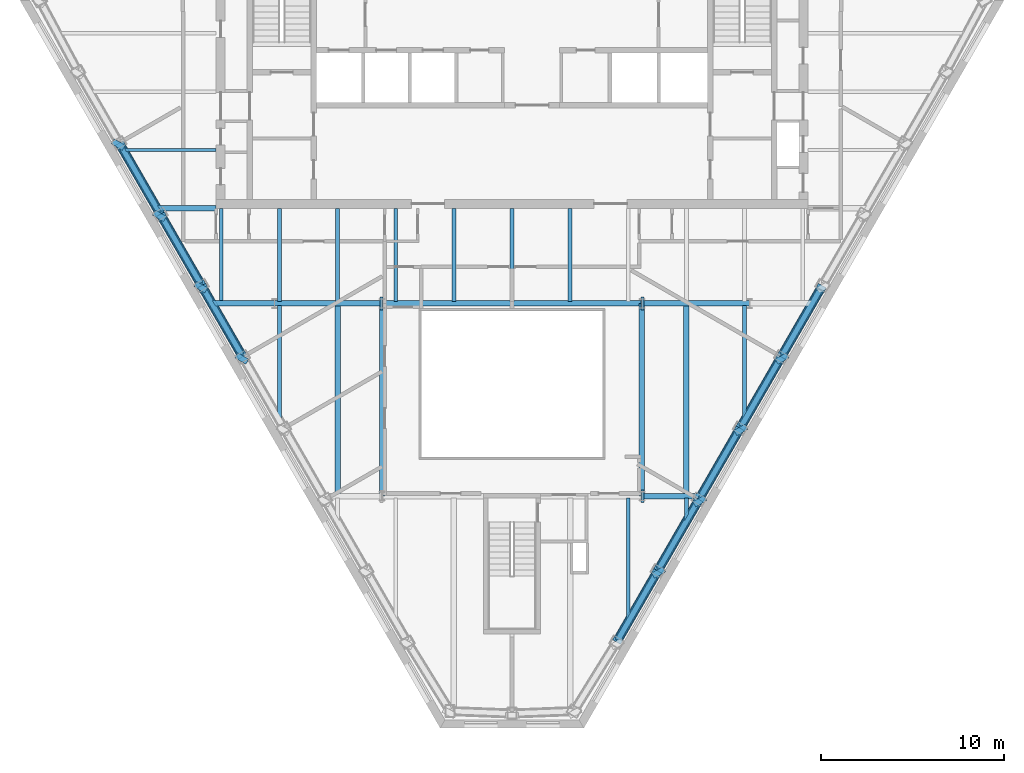
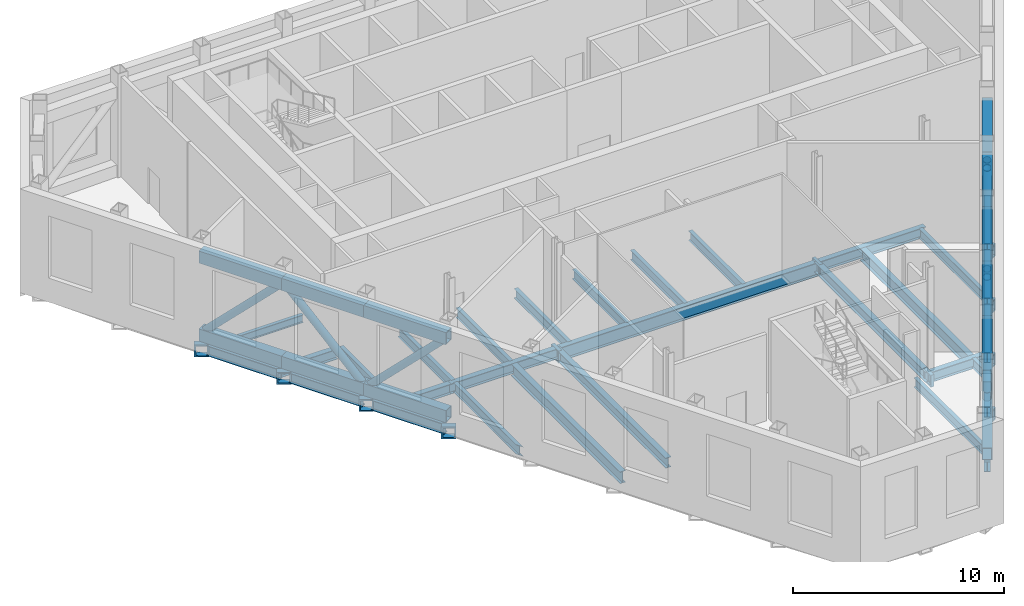
# One storey, part 3 of 13: 41 beams, 24 members.
"""IFC4 building model written with IfcOpenShell, lengths in metres."""

from ifc_helpers import new_model, si_unit, direction, frame, origin, origin_2d, place, context, subcontext, project, spatial, hollow_rectangle, hollow_circle, i_section, extrude, clip, halfspace, material, material_profile, profile_set, type_object, element, save


model = new_model("IFC4")

# Units and contexts
model_context = context("Model", 3, precision=1e-05, world=origin(), true_north=direction((0.0, 1.0)))
body_context = subcontext(model_context, "Body", "Model", "MODEL_VIEW")
ifc_project = project(units=[si_unit("LENGTHUNIT", "METRE"), si_unit("AREAUNIT", "SQUARE_METRE"), si_unit("VOLUMEUNIT", "CUBIC_METRE"), si_unit("PLANEANGLEUNIT", "RADIAN"), si_unit("MASSUNIT", "GRAM", prefix="KILO")], contexts=[model_context])

# Site, building, storey
site_placement = place(None, origin())
site = spatial("IfcSite", under=ifc_project, at=site_placement, CompositionType="ELEMENT")
building_placement = place(site_placement, origin())
building = spatial("IfcBuilding", under=site, at=building_placement, Name="Njiva Tower", CompositionType="ELEMENT")
storey_placement = place(building_placement, frame((0.0, 0.0, 186.6)))
storey = spatial("IfcBuildingStorey", under=building, at=storey_placement, Name="L41", CompositionType="ELEMENT", Elevation=186.6)

# Beams
ifc_material_1 = material(Name="Steel S355 J2", Category="steel")
ifc_material_profile_1 = material_profile(ifc_material_1, i_section(OverallWidth=0.3, OverallDepth=0.69, WebThickness=0.0145, FlangeThickness=0.027, at=origin_2d()), Name="HEA 700")
ifc_profile_set_1 = profile_set([ifc_material_profile_1], Name="Steel S355 J2")
beam_type_1 = type_object("IfcBeamType", Name="B12 Long-span floor joist HEA 700", PredefinedType="JOIST", material=ifc_profile_set_1)
for number, where, z_axis, x_axis, name in (
    (1, (-9.55, -3.3, -0.545), (0.0, -1.0, 0.0), (1.0, 0.0, 0.0), "Long-span floor joist T3-B052"),
    (2, (9.55, -3.3, -0.545), (0.0, -1.0, 0.0), (1.0, 0.0, 0.0), "Long-span floor joist T3-B065"),
):
    element("IfcBeam", number, at=place(storey_placement, frame(where, z_axis=z_axis, x_axis=x_axis)), inside=storey, type_object=beam_type_1, Name=name, PredefinedType="JOIST", context=body_context, shape_type="SweptSolid", body=[
        extrude(i_section(OverallWidth=0.3, OverallDepth=0.69, WebThickness=0.0145, FlangeThickness=0.027, at=origin_2d()), origin(), (0.0, 0.0, 1.0), 10.35),
    ])
ifc_material_profile_2 = material_profile(ifc_material_1, hollow_rectangle(XDim=0.7, YDim=0.7, WallThickness=0.08, at=origin_2d()), Name="BOX 700x700x80")
ifc_profile_set_2 = profile_set([ifc_material_profile_2], Name="Steel S355 J2")
beam_type_2 = type_object("IfcBeamType", Name="B19 Column jog beam BOX 700x700x80", PredefinedType="BEAM", material=ifc_profile_set_2)
beam_1_placement = place(storey_placement, frame((-21.634, 5.359, -0.55), z_axis=(0.511321392938, 0.859389570058, 0.0), x_axis=(-0.859389570058, 0.511321392938, 0.0)))
element("IfcBeam", 3, at=beam_1_placement, inside=storey, type_object=beam_type_2, Name="Column jog beam T3-B022", PredefinedType="BEAM", context=body_context, shape_type="SweptSolid", body=[
    extrude(hollow_rectangle(XDim=0.7, YDim=0.7, WallThickness=0.08, at=origin_2d()), origin(), (0.0, 0.0, 1.0), 0.3246),
])
for number, where, z_axis, x_axis, name in (
    (4, (-19.378, 1.454, -0.55), (0.503103193973, 0.864226345475, 0.0), (-0.864226345475, 0.503103193973, 0.0), "Column jog beam T3-B023"),
    (5, (-17.124, -2.45, -0.55), (0.503103193973, 0.864226345475, 0.0), (-0.864226345475, 0.503103193973, 0.0), "Column jog beam T3-B024"),
):
    element("IfcBeam", number, at=place(storey_placement, frame(where, z_axis=z_axis, x_axis=x_axis)), inside=storey, type_object=beam_type_2, Name=name, PredefinedType="BEAM", context=body_context, shape_type="SweptSolid", body=[
        extrude(hollow_rectangle(XDim=0.7, YDim=0.7, WallThickness=0.08, at=origin_2d()), origin(), (0.0, 0.0, 1.0), 0.324),
    ])
beam_2_placement = place(storey_placement, frame((-14.87, -6.355, -0.55), z_axis=(0.501764157718, 0.865004468214, 0.0), x_axis=(-0.865004468214, 0.501764157718, 0.0)))
element("IfcBeam", 6, at=beam_2_placement, inside=storey, type_object=beam_type_2, Name="Column jog beam T3-B025", PredefinedType="BEAM", context=body_context, shape_type="SweptSolid", body=[
    extrude(hollow_rectangle(XDim=0.7, YDim=0.7, WallThickness=0.08, at=origin_2d()), origin(), (0.0, 0.0, 1.0), 0.3249),
])
beam_3_placement = place(storey_placement, frame((8.106, -18.069, -0.55), z_axis=(-0.488509809828, 0.872558402459, 0.0), x_axis=(-0.872558402459, -0.488509809828, 0.0)))
element("IfcBeam", 7, at=beam_3_placement, inside=storey, type_object=beam_type_2, Name="Column jog beam T3-B038", PredefinedType="BEAM", context=body_context, shape_type="SweptSolid", body=[
    extrude(hollow_rectangle(XDim=0.7, YDim=0.7, WallThickness=0.08, at=origin_2d()), origin(), (0.0, 0.0, 1.0), 0.3255),
])
beam_4_placement = place(storey_placement, frame((10.36, -14.164, -0.55), z_axis=(-0.489822391419, 0.871822243846, 0.0), x_axis=(-0.871822243846, -0.489822391419, 0.0)))
element("IfcBeam", 8, at=beam_4_placement, inside=storey, type_object=beam_type_2, Name="Column jog beam T3-B039", PredefinedType="BEAM", context=body_context, shape_type="SweptSolid", body=[
    extrude(hollow_rectangle(XDim=0.7, YDim=0.7, WallThickness=0.08, at=origin_2d()), origin(), (0.0, 0.0, 1.0), 0.3246),
])
beam_5_placement = place(storey_placement, frame((12.615, -10.26, -0.55), z_axis=(-0.496799306689, 0.867865455513, 0.0), x_axis=(-0.867865455513, -0.496799306689, 0.0)))
element("IfcBeam", 9, at=beam_5_placement, inside=storey, type_object=beam_type_2, Name="Column jog beam T3-B040", PredefinedType="BEAM", context=body_context, shape_type="SweptSolid", body=[
    extrude(hollow_rectangle(XDim=0.7, YDim=0.7, WallThickness=0.08, at=origin_2d()), origin(), (0.0, 0.0, 1.0), 0.3261),
])
beam_6_placement = place(storey_placement, frame((14.87, -6.355, -0.55), z_axis=(-0.501764157718, 0.865004468214, 0.0), x_axis=(-0.865004468214, -0.501764157718, 0.0)))
element("IfcBeam", 10, at=beam_6_placement, inside=storey, type_object=beam_type_2, Name="Column jog beam T3-B041", PredefinedType="BEAM", context=body_context, shape_type="SweptSolid", body=[
    extrude(hollow_rectangle(XDim=0.7, YDim=0.7, WallThickness=0.08, at=origin_2d()), origin(), (0.0, 0.0, 1.0), 0.3249),
])
for number, where, z_axis, x_axis, name in (
    (11, (7.23, -3.2, -0.55), (-1.0, 0.0, 0.0), (0.0, -1.0, 0.0), "Column jog beam T3-B037"),
    (12, (-7.23, -3.2, -0.55), (1.0, 0.0, 0.0), (0.0, 1.0, 0.0), "Column jog beam T3-B030"),
    (13, (7.23, -13.75, -0.55), (-1.0, 0.0, 0.0), (0.0, -1.0, 0.0), "Column jog beam T3-B036"),
):
    element("IfcBeam", number, at=place(storey_placement, frame(where, z_axis=z_axis, x_axis=x_axis)), inside=storey, type_object=beam_type_2, Name=name, PredefinedType="BEAM", context=body_context, shape_type="SweptSolid", body=[
        extrude(hollow_rectangle(XDim=0.7, YDim=0.7, WallThickness=0.08, at=origin_2d()), origin(), (0.0, 0.0, 1.0), 0.18),
    ])
ifc_material_profile_3 = material_profile(ifc_material_1, i_section(OverallWidth=0.3, OverallDepth=0.59, WebThickness=0.013, FlangeThickness=0.025, at=origin_2d()), Name="HEA 600")
ifc_profile_set_3 = profile_set([ifc_material_profile_3], Name="Steel S355 J2")
beam_type_3 = type_object("IfcBeamType", Name="B27 Short-span spandrel beam HEA 600", PredefinedType="SPANDREL", material=ifc_profile_set_3)
beam_7_placement = place(storey_placement, frame((-21.324, 5.283, -0.495), z_axis=(0.500082280366, -0.865977893981, 0.0), x_axis=(0.865977893981, 0.500082280366, 0.0)))
element("IfcBeam", 14, at=beam_7_placement, inside=storey, type_object=beam_type_3, Name="Short-span spandrel beam T3-B079", PredefinedType="SPANDREL", context=body_context, shape_type="SweptSolid", body=[
    extrude(i_section(OverallWidth=0.3, OverallDepth=0.59, WebThickness=0.013, FlangeThickness=0.025, at=origin_2d()), origin(), (0.0, 0.0, 1.0), 4.0093),
])
beam_8_placement = place(storey_placement, frame((-19.069, 1.378, -0.495), z_axis=(0.500003221507, -0.866023543838, 0.0), x_axis=(0.866023543838, 0.500003221507, 0.0)))
element("IfcBeam", 15, at=beam_8_placement, inside=storey, type_object=beam_type_3, Name="Short-span spandrel beam T3-B080", PredefinedType="SPANDREL", context=body_context, shape_type="SweptSolid", body=[
    extrude(i_section(OverallWidth=0.3, OverallDepth=0.59, WebThickness=0.013, FlangeThickness=0.025, at=origin_2d()), origin(), (0.0, 0.0, 1.0), 4.008),
])
beam_9_placement = place(storey_placement, frame((-16.815, -2.526, -0.495), z_axis=(0.499895202697, -0.866085900082, 0.0), x_axis=(0.866085900082, 0.499895202697, 0.0)))
element("IfcBeam", 16, at=beam_9_placement, inside=storey, type_object=beam_type_3, Name="Short-span spandrel beam T3-B082", PredefinedType="SPANDREL", context=body_context, shape_type="SweptSolid", body=[
    extrude(i_section(OverallWidth=0.3, OverallDepth=0.59, WebThickness=0.013, FlangeThickness=0.025, at=origin_2d()), origin(), (0.0, 0.0, 1.0), 4.0088),
])
beam_10_placement = place(storey_placement, frame((5.794, -21.616, -0.495), z_axis=(0.500003221507, 0.866023543838, 0.0), x_axis=(-0.866023543838, 0.500003221507, 0.0)))
element("IfcBeam", 17, at=beam_10_placement, inside=storey, type_object=beam_type_3, Name="Short-span spandrel beam T3-B096", PredefinedType="SPANDREL", context=body_context, shape_type="SweptSolid", body=[
    extrude(i_section(OverallWidth=0.3, OverallDepth=0.59, WebThickness=0.013, FlangeThickness=0.025, at=origin_2d()), origin(), (0.0, 0.0, 1.0), 4.008),
])
beam_11_placement = place(storey_placement, frame((8.048, -17.712, -0.495), z_axis=(0.499895202697, 0.866085900082, 0.0), x_axis=(-0.866085900082, 0.499895202697, 0.0)))
element("IfcBeam", 18, at=beam_11_placement, inside=storey, type_object=beam_type_3, Name="Short-span spandrel beam T3-B097", PredefinedType="SPANDREL", context=body_context, shape_type="SweptSolid", body=[
    extrude(i_section(OverallWidth=0.3, OverallDepth=0.59, WebThickness=0.013, FlangeThickness=0.025, at=origin_2d()), origin(), (0.0, 0.0, 1.0), 4.0088),
])
beam_12_placement = place(storey_placement, frame((10.302, -13.807, -0.495), z_axis=(0.500003221507, 0.866023543838, 0.0), x_axis=(-0.866023543838, 0.500003221507, 0.0)))
element("IfcBeam", 19, at=beam_12_placement, inside=storey, type_object=beam_type_3, Name="Short-span spandrel beam T3-B099", PredefinedType="SPANDREL", context=body_context, shape_type="SweptSolid", body=[
    extrude(i_section(OverallWidth=0.3, OverallDepth=0.59, WebThickness=0.013, FlangeThickness=0.025, at=origin_2d()), origin(), (0.0, 0.0, 1.0), 4.008),
])
beam_13_placement = place(storey_placement, frame((12.556, -9.903, -0.495), z_axis=(0.500082280366, 0.865977893981, 0.0), x_axis=(-0.865977893981, 0.500082280366, 0.0)))
element("IfcBeam", 20, at=beam_13_placement, inside=storey, type_object=beam_type_3, Name="Short-span spandrel beam T3-B100", PredefinedType="SPANDREL", context=body_context, shape_type="SweptSolid", body=[
    extrude(i_section(OverallWidth=0.3, OverallDepth=0.59, WebThickness=0.013, FlangeThickness=0.025, at=origin_2d()), origin(), (0.0, 0.0, 1.0), 4.0093),
])
beam_14_placement = place(storey_placement, frame((14.811, -5.998, -0.495), z_axis=(0.499895202697, 0.866085900082, 0.0), x_axis=(-0.866085900082, 0.499895202697, 0.0)))
element("IfcBeam", 21, at=beam_14_placement, inside=storey, type_object=beam_type_3, Name="Short-span spandrel beam T3-B102", PredefinedType="SPANDREL", context=body_context, shape_type="SweptSolid", body=[
    extrude(i_section(OverallWidth=0.3, OverallDepth=0.59, WebThickness=0.013, FlangeThickness=0.025, at=origin_2d()), origin(), (0.0, 0.0, 1.0), 4.0088),
])
ifc_material_profile_4 = material_profile(ifc_material_1, i_section(OverallWidth=0.3, OverallDepth=0.59, WebThickness=0.013, FlangeThickness=0.025, at=origin_2d()), Name="HEA 600")
ifc_profile_set_4 = profile_set([ifc_material_profile_4], Name="Steel S355 J2")
beam_type_4 = type_object("IfcBeamType", Name="B28 Floor girder HEA 600", PredefinedType="BEAM", material=ifc_profile_set_4)
for number, where, z_axis, x_axis, name in (
    (22, (-13.0, -3.2, -0.495), (1.0, 0.0, 0.0), (0.0, 1.0, 0.0), "Floor girder T3-B013"),
    (23, (7.11, -3.2, -0.495), (1.0, 0.0, 0.0), (0.0, 1.0, 0.0), "Floor girder T3-B016"),
):
    element("IfcBeam", number, at=place(storey_placement, frame(where, z_axis=z_axis, x_axis=x_axis)), inside=storey, type_object=beam_type_4, Name=name, PredefinedType="BEAM", context=body_context, shape_type="SweptSolid", body=[
        extrude(i_section(OverallWidth=0.3, OverallDepth=0.59, WebThickness=0.013, FlangeThickness=0.025, at=origin_2d()), origin(), (0.0, 0.0, 1.0), 5.89),
    ])
ifc_material_profile_5 = material_profile(ifc_material_1, i_section(OverallWidth=0.3, OverallDepth=0.59, WebThickness=0.013, FlangeThickness=0.025, at=origin_2d()), Name="HEA 600")
ifc_profile_set_5 = profile_set([ifc_material_profile_5], Name="Steel S355 J2")
beam_type_5 = type_object("IfcBeamType", Name="B29 Short-span floor girder HEA 600", PredefinedType="BEAM", material=ifc_profile_set_5)
beam_15_placement = place(storey_placement, frame((-16.418, -3.2, -0.495), z_axis=(1.0, 0.0, 0.0), x_axis=(0.0, 1.0, 0.0)))
element("IfcBeam", 24, at=beam_15_placement, inside=storey, type_object=beam_type_5, Name="Short-span floor girder T3-B012", PredefinedType="BEAM", context=body_context, shape_type="Clipping", body=[
    clip(extrude(i_section(OverallWidth=0.3, OverallDepth=0.59, WebThickness=0.013, FlangeThickness=0.025, at=origin_2d()), origin(), (0.0, 0.0, 1.0), 3.418), halfspace(frame((-0.025, 0.0, 0.1217), z_axis=(-0.499998009787, 0.0, -0.866026552831), x_axis=(0.0, -1.0, 0.0)), False)),
])
beam_16_placement = place(storey_placement, frame((7.11, -13.75, -0.495), z_axis=(1.0, 0.0, 0.0), x_axis=(0.0, 1.0, 0.0)))
element("IfcBeam", 25, at=beam_16_placement, inside=storey, type_object=beam_type_5, Name="Short-span floor girder T3-B015", PredefinedType="BEAM", context=body_context, shape_type="Clipping", body=[
    clip(extrude(i_section(OverallWidth=0.3, OverallDepth=0.59, WebThickness=0.013, FlangeThickness=0.025, at=origin_2d()), origin(), (0.0, 0.0, 1.0), 3.217), halfspace(frame((-0.025, 0.0, 3.0953), z_axis=(-0.499998009787, 0.0, 0.866026552831), x_axis=(0.0, 1.0, 0.0)), False)),
])
beam_17_placement = place(storey_placement, frame((-19.42, 2.0, -0.495), z_axis=(1.0, 0.0, 0.0), x_axis=(0.0, 1.0, 0.0)))
element("IfcBeam", 26, at=beam_17_placement, inside=storey, type_object=beam_type_5, Name="Short-span floor girder T3-B011", PredefinedType="BEAM", context=body_context, shape_type="Clipping", body=[
    clip(extrude(i_section(OverallWidth=0.3, OverallDepth=0.59, WebThickness=0.013, FlangeThickness=0.025, at=origin_2d()), origin(), (0.0, 0.0, 1.0), 3.22), halfspace(frame((-0.025, 0.0, 0.1214), z_axis=(-0.499998009787, 0.0, -0.866026552831), x_axis=(0.0, -1.0, 0.0)), False)),
])
ifc_material_profile_6 = material_profile(ifc_material_1, i_section(OverallWidth=0.3, OverallDepth=0.59, WebThickness=0.013, FlangeThickness=0.025, at=origin_2d()), Name="HEA 600")
ifc_profile_set_6 = profile_set([ifc_material_profile_6], Name="Steel S355 J2")
beam_type_6 = type_object("IfcBeamType", Name="B30 Long-span atrium trimmer beam HEA 600", PredefinedType="BEAM", material=ifc_profile_set_6)
for number, where, z_axis, x_axis, name in (
    (27, (7.11, -13.75, -0.495), (0.0, 1.0, 0.0), (-1.0, 0.0, 0.0), "Long-span atrium trimmer beam T3-B073"),
    (28, (-7.11, -3.2, -0.495), (0.0, -1.0, 0.0), (1.0, 0.0, 0.0), "Long-span atrium trimmer beam T3-B070"),
):
    element("IfcBeam", number, at=place(storey_placement, frame(where, z_axis=z_axis, x_axis=x_axis)), inside=storey, type_object=beam_type_6, Name=name, PredefinedType="BEAM", context=body_context, shape_type="SweptSolid", body=[
        extrude(i_section(OverallWidth=0.3, OverallDepth=0.59, WebThickness=0.013, FlangeThickness=0.025, at=origin_2d()), origin(), (0.0, 0.0, 1.0), 10.55),
    ])
ifc_material_profile_7 = material_profile(ifc_material_1, i_section(OverallWidth=0.21, OverallDepth=0.55, WebThickness=0.0111, FlangeThickness=0.0172, at=origin_2d()), Name="IPE 550")
ifc_profile_set_7 = profile_set([ifc_material_profile_7], Name="Steel S355 J2")
beam_type_7 = type_object("IfcBeamType", Name="B31 Short-span floor joist IPE 550", PredefinedType="JOIST", material=ifc_profile_set_7)
beam_18_placement = place(storey_placement, frame((9.55, -13.85, -0.475), z_axis=(0.0, -1.0, 0.0), x_axis=(1.0, 0.0, 0.0)))
element("IfcBeam", 29, at=beam_18_placement, inside=storey, type_object=beam_type_7, Name="Short-span floor joist T3-B064", PredefinedType="JOIST", context=body_context, shape_type="Clipping", body=[
    clip(extrude(i_section(OverallWidth=0.21, OverallDepth=0.55, WebThickness=0.0111, FlangeThickness=0.0172, at=origin_2d()), origin(), (0.0, 0.0, 1.0), 1.262), halfspace(frame((0.0433, 0.0, 0.985), z_axis=(0.866026552831, 0.0, 0.499998009787), x_axis=(0.0, 1.0, 0.0)), False)),
])
ifc_material_profile_8 = material_profile(ifc_material_1, i_section(OverallWidth=0.21, OverallDepth=0.55, WebThickness=0.0111, FlangeThickness=0.0172, at=origin_2d()), Name="IPE 550")
ifc_profile_set_8 = profile_set([ifc_material_profile_8], Name="Steel S355 J2")
beam_type_8 = type_object("IfcBeamType", Name="B32 Floor joist IPE 550", PredefinedType="JOIST", material=ifc_profile_set_8)
for number, where, z_axis, x_axis, name in (
    (30, (-15.917, 1.995, -0.475), (0.0, -1.0, 0.0), (1.0, 0.0, 0.0), "Floor joist T3-B048"),
    (31, (-12.733, 1.995, -0.475), (0.0, -1.0, 0.0), (1.0, 0.0, 0.0), "Floor joist T3-B050"),
):
    element("IfcBeam", number, at=place(storey_placement, frame(where, z_axis=z_axis, x_axis=x_axis)), inside=storey, type_object=beam_type_8, Name=name, PredefinedType="JOIST", context=body_context, shape_type="SweptSolid", body=[
        extrude(i_section(OverallWidth=0.21, OverallDepth=0.55, WebThickness=0.0111, FlangeThickness=0.0172, at=origin_2d()), origin(), (0.0, 0.0, 1.0), 5.095),
    ])
beam_19_placement = place(storey_placement, frame((-12.733, -3.3, -0.475), z_axis=(0.0, -1.0, 0.0), x_axis=(1.0, 0.0, 0.0)))
element("IfcBeam", 32, at=beam_19_placement, inside=storey, type_object=beam_type_8, Name="Floor joist T3-B049", PredefinedType="JOIST", context=body_context, shape_type="Clipping", body=[
    clip(extrude(i_section(OverallWidth=0.21, OverallDepth=0.55, WebThickness=0.0111, FlangeThickness=0.0172, at=origin_2d()), origin(), (0.0, 0.0, 1.0), 6.298), halfspace(frame((-0.0436, 0.0, 6.0213), z_axis=(-0.866026552831, 0.0, 0.499998009787), x_axis=(0.0, 1.0, 0.0)), False)),
])
for number, where, z_axis, x_axis, name in (
    (33, (-9.55, 1.995, -0.475), (0.0, -1.0, 0.0), (1.0, 0.0, 0.0), "Floor joist T3-B053"),
    (34, (-6.367, 1.995, -0.475), (0.0, -1.0, 0.0), (1.0, 0.0, 0.0), "Floor joist T3-B055"),
    (35, (-3.183, 1.995, -0.475), (0.0, -1.0, 0.0), (1.0, 0.0, 0.0), "Floor joist T3-B057"),
    (36, (0.0, 1.995, -0.475), (0.0, -1.0, 0.0), (1.0, 0.0, 0.0), "Floor joist T3-B059"),
    (37, (3.183, 1.995, -0.475), (0.0, -1.0, 0.0), (1.0, 0.0, 0.0), "Floor joist T3-B061"),
):
    element("IfcBeam", number, at=place(storey_placement, frame(where, z_axis=z_axis, x_axis=x_axis)), inside=storey, type_object=beam_type_8, Name=name, PredefinedType="JOIST", context=body_context, shape_type="SweptSolid", body=[
        extrude(i_section(OverallWidth=0.21, OverallDepth=0.55, WebThickness=0.0111, FlangeThickness=0.0172, at=origin_2d()), origin(), (0.0, 0.0, 1.0), 5.095),
    ])
beam_20_placement = place(storey_placement, frame((6.367, -13.85, -0.475), z_axis=(0.0, -1.0, 0.0), x_axis=(1.0, 0.0, 0.0)))
element("IfcBeam", 38, at=beam_20_placement, inside=storey, type_object=beam_type_8, Name="Floor joist T3-B062", PredefinedType="JOIST", context=body_context, shape_type="Clipping", body=[
    clip(extrude(i_section(OverallWidth=0.21, OverallDepth=0.55, WebThickness=0.0111, FlangeThickness=0.0172, at=origin_2d()), origin(), (0.0, 0.0, 1.0), 6.776), halfspace(frame((0.043, 0.0, 6.4987), z_axis=(0.866026552831, 0.0, 0.499998009787), x_axis=(0.0, 1.0, 0.0)), False)),
])
beam_21_placement = place(storey_placement, frame((12.733, -3.3, -0.475), z_axis=(0.0, -1.0, 0.0), x_axis=(1.0, 0.0, 0.0)))
element("IfcBeam", 39, at=beam_21_placement, inside=storey, type_object=beam_type_8, Name="Floor joist T3-B067", PredefinedType="JOIST", context=body_context, shape_type="Clipping", body=[
    clip(extrude(i_section(OverallWidth=0.21, OverallDepth=0.55, WebThickness=0.0111, FlangeThickness=0.0172, at=origin_2d()), origin(), (0.0, 0.0, 1.0), 6.298), halfspace(frame((0.0436, 0.0, 6.0213), z_axis=(0.866026552831, 0.0, 0.499998009787), x_axis=(0.0, 1.0, 0.0)), False)),
])
ifc_material_profile_9 = material_profile(ifc_material_1, i_section(OverallWidth=0.19, OverallDepth=0.45, WebThickness=0.0094, FlangeThickness=0.0146, at=origin_2d()), Name="IPE 450")
ifc_profile_set_9 = profile_set([ifc_material_profile_9], Name="Steel S355 J2")
beam_type_9 = type_object("IfcBeamType", Name="B37 Floor beam to the core IPE 450", PredefinedType="BEAM", material=ifc_profile_set_9)
beam_22_placement = place(storey_placement, frame((-21.236, 5.2, -0.425), z_axis=(1.0, 0.0, 0.0), x_axis=(0.0, 1.0, 0.0)))
element("IfcBeam", 40, at=beam_22_placement, inside=storey, type_object=beam_type_9, Name="Floor beam to the core T3-B005", PredefinedType="BEAM", context=body_context, shape_type="Clipping", body=[
    clip(extrude(i_section(OverallWidth=0.19, OverallDepth=0.45, WebThickness=0.0094, FlangeThickness=0.0146, at=origin_2d()), origin(), (0.0, 0.0, 1.0), 5.036), halfspace(frame((-0.025, 0.0, 0.0899), z_axis=(-0.499998009787, 0.0, -0.866026552831), x_axis=(0.0, -1.0, 0.0)), False)),
])
ifc_material_profile_10 = material_profile(ifc_material_1, i_section(OverallWidth=0.3, OverallDepth=0.79, WebThickness=0.015, FlangeThickness=0.028, at=origin_2d()), Name="HEA 800")
ifc_profile_set_10 = profile_set([ifc_material_profile_10], Name="Steel S355 J2")
beam_type_10 = type_object("IfcBeamType", Name="B9 Long-span atrium trimmer beam HEA 800", PredefinedType="BEAM", material=ifc_profile_set_10)
beam_23_placement = place(storey_placement, frame((7.11, -3.2, -0.595), z_axis=(-1.0, 0.0, 0.0), x_axis=(0.0, -1.0, 0.0)))
element("IfcBeam", 41, at=beam_23_placement, inside=storey, type_object=beam_type_10, Name="Long-span atrium trimmer beam T3-B072", PredefinedType="BEAM", context=body_context, shape_type="SweptSolid", body=[
    extrude(i_section(OverallWidth=0.3, OverallDepth=0.79, WebThickness=0.015, FlangeThickness=0.028, at=origin_2d()), origin(), (0.0, 0.0, 1.0), 14.22),
])

# Members
ifc_material_profile_11 = material_profile(ifc_material_1, hollow_rectangle(XDim=0.5, YDim=0.7, WallThickness=0.04, at=origin_2d()), Name="BOX 700x500x40")
ifc_profile_set_11 = profile_set([ifc_material_profile_11], Name="Steel S355 J2")
member_type_1 = type_object("IfcMemberType", Name="TC2 Belt truss chord BOX 700x500x40", PredefinedType="CHORD", material=ifc_profile_set_11)
for number, where, z_axis, x_axis, name in (
    (42, (-21.499, 5.586, 0.35), (0.500004084281, -0.866023045711, 0.0), (0.866023045711, 0.500004084281, 0.0), "Belt truss chord T3-TR043"),
    (43, (-21.499, 5.586, 4.86), (0.500004084281, -0.866023045711, 0.0), (0.866023045711, 0.500004084281, 0.0), "Belt truss chord T3-TR044"),
    (44, (-19.245, 1.682, 0.35), (0.500004084281, -0.866023045711, 0.0), (0.866023045711, 0.500004084281, 0.0), "Belt truss chord T3-TR046"),
    (45, (-19.245, 1.682, 4.86), (0.500004084281, -0.866023045711, 0.0), (0.866023045711, 0.500004084281, 0.0), "Belt truss chord T3-TR047"),
    (46, (-16.991, -2.222, 0.35), (0.500004084281, -0.866023045711, 0.0), (0.866023045711, 0.500004084281, 0.0), "Belt truss chord T3-TR049"),
    (47, (-16.991, -2.222, 4.86), (0.500004084281, -0.866023045711, 0.0), (0.866023045711, 0.500004084281, 0.0), "Belt truss chord T3-TR050"),
):
    element("IfcMember", number, at=place(storey_placement, frame(where, z_axis=z_axis, x_axis=x_axis)), inside=storey, type_object=member_type_1, Name=name, PredefinedType="CHORD", context=body_context, shape_type="SweptSolid", body=[
        extrude(hollow_rectangle(XDim=0.5, YDim=0.7, WallThickness=0.04, at=origin_2d()), origin(), (0.0, 0.0, 1.0), 4.508),
    ])
member_1_placement = place(storey_placement, frame((5.705, -21.7694, 0.35), z_axis=(0.50010015525, 0.865967571402, 0.0), x_axis=(-0.865967571402, 0.50010015525, 0.0)))
element("IfcMember", 48, at=member_1_placement, inside=storey, type_object=member_type_1, Name="Belt truss chord T3-TR076", PredefinedType="CHORD", context=body_context, shape_type="Clipping", body=[
    clip(extrude(hollow_rectangle(XDim=0.5, YDim=0.7, WallThickness=0.04, at=origin_2d()), origin(), (0.0, 0.0, 1.0), 4.5411), halfspace(frame((0.0, -186.95, 0.034), z_axis=(0.014968956845, 0.0, -0.999887958889), x_axis=(0.0, -1.0, 0.0)), False)),
])
member_2_placement = place(storey_placement, frame((5.705, -21.7694, 4.86), z_axis=(0.50010015525, 0.865967571402, 0.0), x_axis=(-0.865967571402, 0.50010015525, 0.0)))
element("IfcMember", 49, at=member_2_placement, inside=storey, type_object=member_type_1, Name="Belt truss chord T3-TR077", PredefinedType="CHORD", context=body_context, shape_type="Clipping", body=[
    clip(extrude(hollow_rectangle(XDim=0.5, YDim=0.7, WallThickness=0.04, at=origin_2d()), origin(), (0.0, 0.0, 1.0), 4.5411), halfspace(frame((0.0, -191.46, 0.034), z_axis=(0.014968956845, 0.0, -0.999887958889), x_axis=(0.0, -1.0, 0.0)), False)),
])
for number, where, z_axis, x_axis, name in (
    (50, (7.976, -17.837, 0.35), (0.500004084281, 0.866023045711, 0.0), (-0.866023045711, 0.500004084281, 0.0), "Belt truss chord T3-TR079"),
    (51, (7.976, -17.837, 4.86), (0.500004084281, 0.866023045711, 0.0), (-0.866023045711, 0.500004084281, 0.0), "Belt truss chord T3-TR080"),
):
    element("IfcMember", number, at=place(storey_placement, frame(where, z_axis=z_axis, x_axis=x_axis)), inside=storey, type_object=member_type_1, Name=name, PredefinedType="CHORD", context=body_context, shape_type="SweptSolid", body=[
        extrude(hollow_rectangle(XDim=0.5, YDim=0.7, WallThickness=0.04, at=origin_2d()), origin(), (0.0, 0.0, 1.0), 4.508),
    ])
for number, where, z_axis, x_axis, name in (
    (52, (10.23, -13.933, 0.35), (0.499837685251, 0.86611909597, 0.0), (-0.86611909597, 0.499837685251, 0.0), "Belt truss chord T3-TR082"),
    (53, (10.23, -13.933, 4.86), (0.499837685251, 0.86611909597, 0.0), (-0.86611909597, 0.499837685251, 0.0), "Belt truss chord T3-TR083"),
):
    element("IfcMember", number, at=place(storey_placement, frame(where, z_axis=z_axis, x_axis=x_axis)), inside=storey, type_object=member_type_1, Name=name, PredefinedType="CHORD", context=body_context, shape_type="SweptSolid", body=[
        extrude(hollow_rectangle(XDim=0.5, YDim=0.7, WallThickness=0.04, at=origin_2d()), origin(), (0.0, 0.0, 1.0), 4.5075),
    ])
for number, where, z_axis, x_axis, name in (
    (54, (12.483, -10.029, 0.35), (0.50010015525, 0.865967571402, 0.0), (-0.865967571402, 0.50010015525, 0.0), "Belt truss chord T3-TR085"),
    (55, (12.483, -10.029, 4.86), (0.50010015525, 0.865967571402, 0.0), (-0.865967571402, 0.50010015525, 0.0), "Belt truss chord T3-TR086"),
):
    element("IfcMember", number, at=place(storey_placement, frame(where, z_axis=z_axis, x_axis=x_axis)), inside=storey, type_object=member_type_1, Name=name, PredefinedType="CHORD", context=body_context, shape_type="SweptSolid", body=[
        extrude(hollow_rectangle(XDim=0.5, YDim=0.7, WallThickness=0.04, at=origin_2d()), origin(), (0.0, 0.0, 1.0), 4.5071),
    ])
for number, where, z_axis, x_axis, name in (
    (56, (14.737, -6.126, 0.35), (0.500004084281, 0.866023045711, 0.0), (-0.866023045711, 0.500004084281, 0.0), "Belt truss chord T3-TR088"),
    (57, (14.737, -6.126, 4.86), (0.500004084281, 0.866023045711, 0.0), (-0.866023045711, 0.500004084281, 0.0), "Belt truss chord T3-TR089"),
):
    element("IfcMember", number, at=place(storey_placement, frame(where, z_axis=z_axis, x_axis=x_axis)), inside=storey, type_object=member_type_1, Name=name, PredefinedType="CHORD", context=body_context, shape_type="SweptSolid", body=[
        extrude(hollow_rectangle(XDim=0.5, YDim=0.7, WallThickness=0.04, at=origin_2d()), origin(), (0.0, 0.0, 1.0), 4.508),
    ])
ifc_material_2 = material(Name="Steel S355 J2H", Category="steel")
ifc_material_profile_12 = material_profile(ifc_material_2, hollow_circle(Radius=0.2032, WallThickness=0.016, at=origin_2d()), Name="CHS 406.4x16")
ifc_profile_set_12 = profile_set([ifc_material_profile_12], Name="Steel S355 J2H")
member_type_2 = type_object("IfcMemberType", Name="TD2 Belt truss diagonal CHS 406.4x16", PredefinedType="BRACE", material=ifc_profile_set_12)
member_3_placement = place(storey_placement, frame((-21.5821, 5.7299, 0.1838), z_axis=(0.353476414343, -0.612232440815, 0.707266472355), x_axis=(0.866023045711, 0.500004084281, 0.0)))
element("IfcMember", 58, at=member_3_placement, inside=storey, type_object=member_type_2, Name="Belt truss diagonal T3-TR045", PredefinedType="BRACE", context=body_context, shape_type="Clipping", body=[
    clip(clip(extrude(hollow_circle(Radius=0.2032, WallThickness=0.016, at=origin_2d()), origin(), (0.0, 0.0, 1.0), 6.8467), halfspace(frame((15.8256, -10.7839, 11.4948), z_axis=(0.0, -0.706947053946, -0.707266472355), x_axis=(0.0, -0.707266472355, 0.706947053946)), False)), halfspace(frame((15.8256, -8.0763, 14.2036), z_axis=(0.0, 0.706947053946, 0.707266472355), x_axis=(0.0, 0.707266472355, -0.706947053946)), False)),
])
member_4_placement = place(storey_placement, frame((-19.3281, 1.8259, 5.0262), z_axis=(0.353476414343, -0.612232440815, -0.707266472355), x_axis=(0.866023045711, 0.500004084281, 0.0)))
element("IfcMember", 59, at=member_4_placement, inside=storey, type_object=member_type_2, Name="Belt truss diagonal T3-TR048", PredefinedType="BRACE", context=body_context, shape_type="Clipping", body=[
    clip(clip(extrude(hollow_circle(Radius=0.2032, WallThickness=0.016, at=origin_2d()), origin(), (0.0, 0.0, 1.0), 6.8467), halfspace(frame((15.8256, 7.5956, 8.3079), z_axis=(0.0, 0.706947053946, -0.707266472355), x_axis=(0.0, -0.707266472355, -0.706947053946)), False)), halfspace(frame((15.8256, 4.888, 11.0167), z_axis=(0.0, -0.706947053946, 0.707266472355), x_axis=(0.0, 0.707266472355, 0.706947053946)), False)),
])
member_5_placement = place(storey_placement, frame((-17.0741, -2.0781, 0.1838), z_axis=(0.353476414343, -0.612232440815, 0.707266472355), x_axis=(0.866023045711, 0.500004084281, 0.0)))
element("IfcMember", 60, at=member_5_placement, inside=storey, type_object=member_type_2, Name="Belt truss diagonal T3-TR051", PredefinedType="BRACE", context=body_context, shape_type="Clipping", body=[
    clip(clip(extrude(hollow_circle(Radius=0.2032, WallThickness=0.016, at=origin_2d()), origin(), (0.0, 0.0, 1.0), 6.8467), halfspace(frame((15.8256, -4.4073, 5.121), z_axis=(0.0, -0.706947053946, -0.707266472355), x_axis=(0.0, -0.707266472355, 0.706947053946)), False)), halfspace(frame((15.8256, -1.6997, 7.8298), z_axis=(0.0, 0.706947053946, 0.707266472355), x_axis=(0.0, 0.707266472355, -0.706947053946)), False)),
])
member_6_placement = place(storey_placement, frame((5.6389, -21.8839, 5.0262), z_axis=(0.353510352654, 0.612134386162, -0.707334379091), x_axis=(-0.865967571402, 0.50010015525, 0.0)))
element("IfcMember", 61, at=member_6_placement, inside=storey, type_object=member_type_2, Name="Belt truss diagonal T3-TR078", PredefinedType="BRACE", context=body_context, shape_type="Clipping", body=[
    clip(clip(extrude(hollow_circle(Radius=0.2032, WallThickness=0.016, at=origin_2d()), origin(), (0.0, 0.0, 1.0), 6.8461), halfspace(frame((15.8272, 11.0519, 11.7605), z_axis=(0.0, 0.706879110001, -0.707334379091), x_axis=(0.0, -0.707334379091, -0.706879110001)), False)), halfspace(frame((15.8272, 8.3446, 14.4696), z_axis=(0.0, -0.706879110001, 0.707334379091), x_axis=(0.0, 0.707334379091, 0.706879110001)), False)),
])
member_7_placement = place(storey_placement, frame((7.8929, -17.9809, 0.1838), z_axis=(0.353476414343, 0.612232440815, 0.707266472355), x_axis=(-0.866023045711, 0.500004084281, 0.0)))
element("IfcMember", 62, at=member_7_placement, inside=storey, type_object=member_type_2, Name="Belt truss diagonal T3-TR081", PredefinedType="BRACE", context=body_context, shape_type="Clipping", body=[
    clip(clip(extrude(hollow_circle(Radius=0.2032, WallThickness=0.016, at=origin_2d()), origin(), (0.0, 0.0, 1.0), 6.8467), halfspace(frame((15.826, -7.8644, 8.5765), z_axis=(0.0, -0.706947053946, -0.707266472355), x_axis=(0.0, -0.707266472355, 0.706947053946)), False)), halfspace(frame((15.826, -5.1568, 11.2854), z_axis=(0.0, 0.706947053946, 0.707266472355), x_axis=(0.0, 0.707266472355, -0.706947053946)), False)),
])
member_8_placement = place(storey_placement, frame((10.147, -14.0769, 5.0262), z_axis=(0.353339175294, 0.612266373878, -0.707305672692), x_axis=(-0.86611909597, 0.499837685251, 0.0)))
element("IfcMember", 63, at=member_8_placement, inside=storey, type_object=member_type_2, Name="Belt truss diagonal T3-TR084", PredefinedType="BRACE", context=body_context, shape_type="Clipping", body=[
    clip(clip(extrude(hollow_circle(Radius=0.2032, WallThickness=0.016, at=origin_2d()), origin(), (0.0, 0.0, 1.0), 6.8463), halfspace(frame((15.8246, 4.6785, 5.3915), z_axis=(0.0, 0.706907833723, -0.707305672692), x_axis=(0.0, -0.707305672692, -0.706907833723)), False)), halfspace(frame((15.8246, 1.971, 8.1005), z_axis=(0.0, -0.706907833723, 0.707305672692), x_axis=(0.0, 0.707305672692, 0.706907833723)), False)),
])
member_9_placement = place(storey_placement, frame((12.3999, -10.1729, 0.1838), z_axis=(0.353510352654, 0.612134386162, 0.707334379091), x_axis=(-0.865967571402, 0.50010015525, 0.0)))
element("IfcMember", 64, at=member_9_placement, inside=storey, type_object=member_type_2, Name="Belt truss diagonal T3-TR087", PredefinedType="BRACE", context=body_context, shape_type="Clipping", body=[
    clip(clip(extrude(hollow_circle(Radius=0.2032, WallThickness=0.016, at=origin_2d()), origin(), (0.0, 0.0, 1.0), 6.8461), halfspace(frame((15.8254, -1.487, 2.2017), z_axis=(0.0, -0.706879110001, -0.707334379091), x_axis=(0.0, -0.707334379091, 0.706879110001)), False)), halfspace(frame((15.8254, 1.2203, 4.9108), z_axis=(0.0, 0.706879110001, 0.707334379091), x_axis=(0.0, 0.707334379091, -0.706879110001)), False)),
])
member_10_placement = place(storey_placement, frame((14.6539, -6.2699, 5.0262), z_axis=(0.353476414343, 0.612232440815, -0.707266472355), x_axis=(-0.866023045711, 0.500004084281, 0.0)))
element("IfcMember", 65, at=member_10_placement, inside=storey, type_object=member_type_2, Name="Belt truss diagonal T3-TR090", PredefinedType="BRACE", context=body_context, shape_type="Clipping", body=[
    clip(clip(extrude(hollow_circle(Radius=0.2032, WallThickness=0.016, at=origin_2d()), origin(), (0.0, 0.0, 1.0), 6.8467), halfspace(frame((15.8256, -1.6997, -0.9832), z_axis=(0.0, 0.706947053946, -0.707266472355), x_axis=(0.0, -0.707266472355, -0.706947053946)), False)), halfspace(frame((15.8256, -4.4073, 1.7257), z_axis=(0.0, -0.706947053946, 0.707266472355), x_axis=(0.0, 0.707266472355, 0.706947053946)), False)),
])

save(model, "model.ifc")
